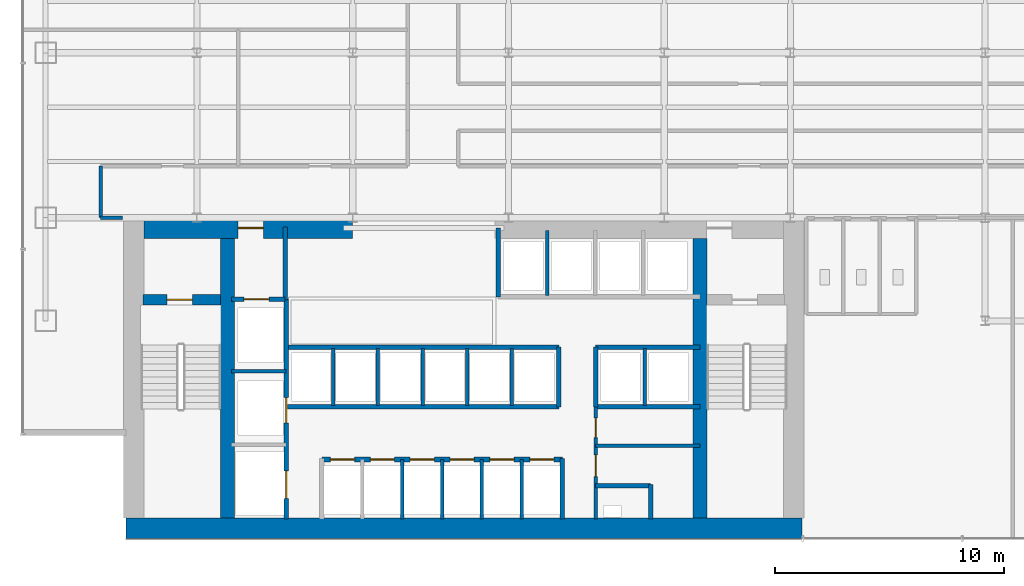
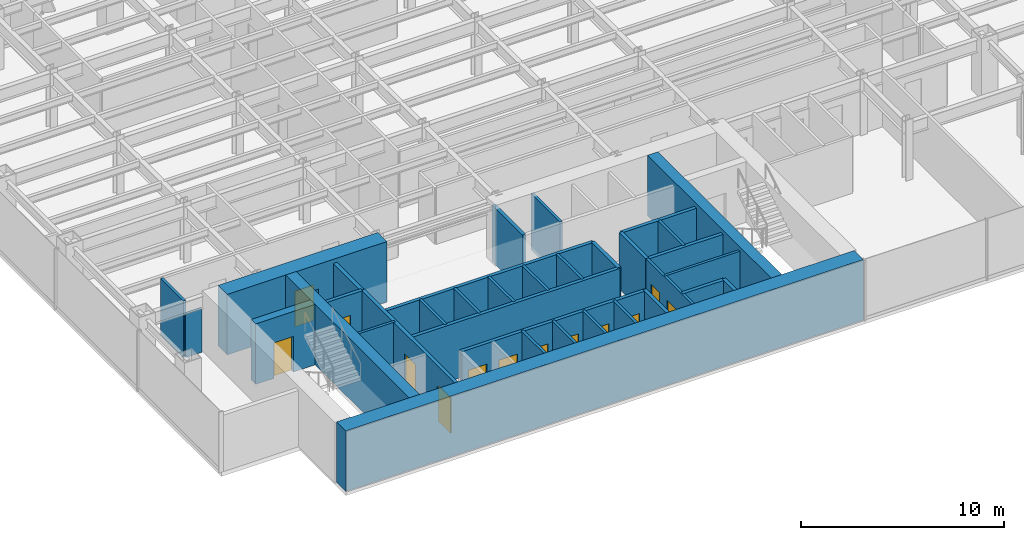
# One storey, part 17 of 22: 35 walls, 13 doors, 13 openings.
"""IFC4 building model written with IfcOpenShell, lengths in metres."""

from ifc_helpers import new_model, si_unit, derived_unit, direction, frame, frame_2d, origin, place, context, subcontext, project, spatial, rectangle, extrude, source, transform, mapped, material, layer, layer_set, type_object, element, fill, save


model = new_model("IFC4")

# Units and contexts
model_context = context("Model", 3, precision=1e-05, world=origin(), true_north=direction((0.0, 1.0)))
body_context = subcontext(model_context, "Body", "Model", "MODEL_VIEW")
ifc_project = project(units=[si_unit("LENGTHUNIT", "METRE"), si_unit("AREAUNIT", "SQUARE_METRE"), si_unit("VOLUMEUNIT", "CUBIC_METRE"), si_unit("PLANEANGLEUNIT", "RADIAN"), si_unit("MASSUNIT", "GRAM", prefix="KILO"), derived_unit("THERMALTRANSMITTANCEUNIT", [(si_unit("POWERUNIT", "WATT"), 1), (si_unit("LENGTHUNIT", "METRE"), -2), (si_unit("THERMODYNAMICTEMPERATUREUNIT", "KELVIN"), -1)])], contexts=[model_context])

# Site, building, storey
site_placement = place(None, origin())
site = spatial("IfcSite", under=ifc_project, at=site_placement, CompositionType="ELEMENT")
building_placement = place(site_placement, origin())
building = spatial("IfcBuilding", under=site, at=building_placement, Name="Skarnbrae Concourse Arena and Tower", CompositionType="ELEMENT")
storey_placement = place(building_placement, frame((0.0, 0.0, 39.800048828125)))
storey = spatial("IfcBuildingStorey", under=building, at=storey_placement, Name="L08", CompositionType="ELEMENT", Elevation=39.800048828125)

# Wall
ifc_material_1 = material(Name="Concrete 70 MPa (C70/85)", Category="concrete")
ifc_layer_1 = layer(ifc_material_1, 0.89990234375)
ifc_layer_set_1 = layer_set([ifc_layer_1], Name="Concrete 70 MPa (C70/85)")
wall_type_1 = type_object("IfcWallType", Name="WALL-CORE-900-C70", PredefinedType="SHEAR", material=ifc_layer_set_1)
shared_shape_1 = source(origin(), body_context, "Body", "SweptSolid", [
    extrude(rectangle(XDim=29.5, YDim=0.89990234375, at=frame_2d((14.75, 0.0))), origin(), (0.0, 0.0, 1.0), 3.64990234375),
])
wall_1_placement = place(storey_placement, frame((4.5, 0.449951171875, 0.0), z_axis=(0.0, 0.0, 1.0), x_axis=(1.0, 0.0, 0.0)))
element("IfcWall", 1, at=wall_1_placement, inside=storey, type_object=wall_type_1, Name="L08 Rear core shear wall CW-S", PredefinedType="SHEAR", context=body_context, shape_type="MappedRepresentation", body=[
    mapped(shared_shape_1, transform((0.0, 0.0, 0.0))),
])

# Wall, opening, door
shared_shape_2 = source(origin(), body_context, "Body", "SweptSolid", [
    extrude(rectangle(XDim=9.099853515625, YDim=0.89990234375, at=frame_2d((4.5498046875, 0.0))), origin(), (0.0, 0.0, 1.0), 3.64990234375),
])
wall_2_placement = place(storey_placement, frame((5.300048828125, 13.550048828125, 0.0), z_axis=(0.0, 0.0, 1.0), x_axis=(1.0, 0.0, 0.0)))
wall_2 = element("IfcWall", 2, at=wall_2_placement, inside=storey, type_object=wall_type_1, Name="L08 Rear core shear wall CW-NW", PredefinedType="SHEAR", context=body_context, shape_type="MappedRepresentation", body=[
    mapped(shared_shape_2, transform((0.0, 0.0, 0.0))),
])
opening_1_placement = place(wall_2_placement, frame((4.10009765625, 0.0, 0.0)))
opening_1 = element("IfcOpeningElement", 3, at=opening_1_placement, cuts=wall_2, Name="Opening DT-03", PredefinedType="OPENING", context=body_context, shape_type="SweptSolid", body=[
    extrude(rectangle(XDim=1.10009765625, YDim=2.14990234375, at=frame_2d((0.550048828125, 1.074951171875))), frame((0.0, 0.4599609375, 0.0), z_axis=(0.0, -1.0, 0.0), x_axis=(1.0, 0.0, 0.0)), (0.0, 0.0, 1.0), 0.919921875),
])
ifc_material_2 = material(Name="Steel CSA G40.21 350W", Category="steel")
door_type_1 = type_object("IfcDoorType", Name="DOOR-FIRE-1100-90M", OperationType="NOTDEFINED", PredefinedType="DOOR", material=ifc_material_2)
shared_shape_3 = source(origin(), body_context, "Body", "SweptSolid", [
    extrude(rectangle(XDim=1.10009765625, YDim=2.14990234375, at=frame_2d((0.550048828125, 1.074951171875))), frame((0.0, 0.02490234375, 0.0), z_axis=(0.0, -1.0, 0.0), x_axis=(1.0, 0.0, 0.0)), (0.0, 0.0, 1.0), 0.050048828125),
])
door_1_placement = place(opening_1_placement, origin())
door_1 = element("IfcDoor", 4, at=door_1_placement, inside=storey, type_object=door_type_1, Name="D-0386 Firefighting Lobby Exit Door", OperationType="SINGLE_SWING_RIGHT", OverallHeight=2.14990234375, OverallWidth=1.10009765625, PredefinedType="DOOR", context=body_context, shape_type="MappedRepresentation", body=[
    mapped(shared_shape_3, transform((0.0, 0.0, 0.0))),
])
fill(opening_1, door_1)

# Walls
ifc_layer_2 = layer(ifc_material_1, 0.60009765625)
ifc_layer_set_2 = layer_set([ifc_layer_2], Name="Concrete 70 MPa (C70/85)")
wall_type_2 = type_object("IfcWallType", Name="WALL-CORE-600-C70", PredefinedType="SHEAR", material=ifc_layer_set_2)
shared_shape_4 = source(origin(), body_context, "Body", "SweptSolid", [
    extrude(rectangle(XDim=12.2001953125, YDim=0.60009765625, at=frame_2d((6.10009765625, 0.0))), origin(), (0.0, 0.0, 1.0), 3.64990234375),
])
for number, where, z_axis, x_axis, name in (
    (5, (8.93994140625, 0.89990234375, 0.0), (0.0, 0.0, 1.0), (0.0, 1.0, 0.0), "L08 Rear core shear wall CW-WEB-W"),
    (6, (29.56005859375, 0.89990234375, 0.0), (0.0, 0.0, 1.0), (0.0, 1.0, 0.0), "L08 Rear core shear wall CW-WEB-E"),
):
    element("IfcWall", number, at=place(storey_placement, frame(where, z_axis=z_axis, x_axis=x_axis)), inside=storey, type_object=wall_type_2, Name=name, PredefinedType="SHEAR", context=body_context, shape_type="MappedRepresentation", body=[
        mapped(shared_shape_4, transform((0.0, 0.0, 0.0))),
    ])

# Wall, opening, door
ifc_material_3 = material(Name="Concrete 50 MPa (C50/60)", Category="concrete")
ifc_layer_3 = layer(ifc_material_3, 0.449951171875)
ifc_layer_set_3 = layer_set([ifc_layer_3], Name="Concrete 50 MPa (C50/60)")
wall_type_3 = type_object("IfcWallType", Name="WALL-CORE-450-C50", PredefinedType="SHEAR", material=ifc_layer_set_3)
shared_shape_5 = source(origin(), body_context, "Body", "SweptSolid", [
    extrude(rectangle(XDim=3.389892578125, YDim=0.449951171875, at=frame_2d((1.69482421875, 0.0))), origin(), (0.0, 0.0, 1.0), 3.64990234375),
])
wall_3_placement = place(storey_placement, frame((5.25, 10.419921875, 0.0), z_axis=(0.0, 0.0, 1.0), x_axis=(1.0, 0.0, 0.0)))
wall_3 = element("IfcWall", 7, at=wall_3_placement, inside=storey, type_object=wall_type_3, Name="L08 Rear core shear wall CW-ST1-N", PredefinedType="SHEAR", context=body_context, shape_type="MappedRepresentation", body=[
    mapped(shared_shape_5, transform((0.0, 0.0, 0.0))),
])
opening_2_placement = place(wall_3_placement, frame((1.050048828125, 0.0, 0.0)))
opening_2 = element("IfcOpeningElement", 8, at=opening_2_placement, cuts=wall_3, Name="Opening DT-03", PredefinedType="OPENING", context=body_context, shape_type="SweptSolid", body=[
    extrude(rectangle(XDim=1.10009765625, YDim=2.14990234375, at=frame_2d((0.550048828125, 1.074951171875))), frame((0.0, 0.23486328125, 0.0), z_axis=(0.0, -1.0, 0.0), x_axis=(1.0, 0.0, 0.0)), (0.0, 0.0, 1.0), 0.469970703125),
])
door_2_placement = place(opening_2_placement, frame((1.10009765625, 0.0, 0.0), z_axis=(0.0, 0.0, 1.0), x_axis=(-1.0, 0.0, 0.0)))
door_2 = element("IfcDoor", 9, at=door_2_placement, inside=storey, type_object=door_type_1, Name="D-0384 Stair ST-1 Door", OperationType="SINGLE_SWING_LEFT", OverallHeight=2.14990234375, OverallWidth=1.10009765625, PredefinedType="DOOR", context=body_context, shape_type="MappedRepresentation", body=[
    mapped(shared_shape_3, transform((0.0, 0.0, 0.0))),
])
fill(opening_2, door_2)

# Wall
ifc_material_4 = material(Name="Gypsum board on cold-formed steel studs", Category="steel")
ifc_layer_4 = layer(ifc_material_4, 0.199951171875)
ifc_layer_set_4 = layer_set([ifc_layer_4], Name="Gypsum board on cold-formed steel studs")
wall_type_4 = type_object("IfcWallType", Name="WALL-PART-200-2HR", PredefinedType="PARTITIONING", material=ifc_layer_set_4)
shared_shape_6 = source(origin(), body_context, "Body", "SweptSolid", [
    extrude(rectangle(XDim=3.18017578125, YDim=0.199951171875, at=frame_2d((1.590087890625, 0.0))), origin(), (0.0, 0.0, 1.0), 3.39990234375),
])
wall_4_placement = place(storey_placement, frame((11.449951171875, 10.419921875, 0.0), z_axis=(0.0, 0.0, 1.0), x_axis=(0.0, 1.0, 0.0)))
element("IfcWall", 10, at=wall_4_placement, inside=storey, type_object=wall_type_4, Name="L08 Interior partition wall W-L08-FFL-E", PredefinedType="PARTITIONING", context=body_context, shape_type="MappedRepresentation", body=[
    mapped(shared_shape_6, transform((0.0, 0.0, 0.0))),
])

# Wall, opening, door
shared_shape_7 = source(origin(), body_context, "Body", "SweptSolid", [
    extrude(rectangle(XDim=2.349853515625, YDim=0.199951171875, at=frame_2d((1.1748046875, 0.0))), origin(), (0.0, 0.0, 1.0), 3.39990234375),
])
wall_5_placement = place(storey_placement, frame((9.10009765625, 10.449951171875, 0.0), z_axis=(0.0, 0.0, 1.0), x_axis=(1.0, 0.0, 0.0)))
wall_5 = element("IfcWall", 11, at=wall_5_placement, inside=storey, type_object=wall_type_4, Name="L08 Interior partition wall W-L08-FL1-N", PredefinedType="PARTITIONING", context=body_context, shape_type="MappedRepresentation", body=[
    mapped(shared_shape_7, transform((0.0, 0.0, 0.0))),
])
opening_3_placement = place(wall_5_placement, frame((0.550048828125, 0.0, 0.0)))
opening_3 = element("IfcOpeningElement", 12, at=opening_3_placement, cuts=wall_5, Name="Opening LD-01", PredefinedType="OPENING", context=body_context, shape_type="SweptSolid", body=[
    extrude(rectangle(XDim=1.10009765625, YDim=2.14990234375, at=frame_2d((0.550048828125, 1.074951171875))), frame((0.0, 0.10986328125, 0.0), z_axis=(0.0, -1.0, 0.0), x_axis=(1.0, 0.0, 0.0)), (0.0, 0.0, 1.0), 0.219970703125),
])
door_type_2 = type_object("IfcDoorType", Name="DOOR-LIFT-SLIDE-1100", OperationType="SLIDING_TO_LEFT", PredefinedType="DOOR", material=ifc_material_2)
door_3_placement = place(opening_3_placement, origin())
door_3 = element("IfcDoor", 13, at=door_3_placement, inside=storey, type_object=door_type_2, Name="D-0388 Firefighting Lift Landing Door FL-01", OperationType="SLIDING_TO_LEFT", OverallHeight=2.14990234375, OverallWidth=1.10009765625, PredefinedType="DOOR", context=body_context, shape_type="MappedRepresentation", body=[
    mapped(shared_shape_3, transform((0.0, 0.0, 0.0))),
])
fill(opening_3, door_3)

# Wall, openings, doors
shared_shape_8 = source(origin(), body_context, "Body", "SweptSolid", [
    extrude(rectangle(XDim=9.599853515625, YDim=0.199951171875, at=frame_2d((4.7998046875, 0.0))), origin(), (0.0, 0.0, 1.0), 3.39990234375),
])
wall_6_placement = place(storey_placement, frame((11.5, 0.85009765625, 0.0), z_axis=(0.0, 0.0, 1.0), x_axis=(0.0, 1.0, 0.0)))
wall_6 = element("IfcWall", 14, at=wall_6_placement, inside=storey, type_object=wall_type_4, Name="L08 Interior partition wall W-L08-FL-E", PredefinedType="PARTITIONING", context=body_context, shape_type="MappedRepresentation", body=[
    mapped(shared_shape_8, transform((0.0, 0.0, 0.0))),
])
opening_4_placement = place(wall_6_placement, frame((4.199951171875, 0.0, 0.0)))
opening_4 = element("IfcOpeningElement", 15, at=opening_4_placement, cuts=wall_6, Name="Opening LD-01", PredefinedType="OPENING", context=body_context, shape_type="SweptSolid", body=[
    extrude(rectangle(XDim=1.10009765625, YDim=2.14990234375, at=frame_2d((0.550048828125, 1.074951171875))), frame((0.0, 0.10986328125, 0.0), z_axis=(0.0, -1.0, 0.0), x_axis=(1.0, 0.0, 0.0)), (0.0, 0.0, 1.0), 0.219970703125),
])
opening_5_placement = place(wall_6_placement, frame((0.89990234375, 0.0, 0.0)))
opening_5 = element("IfcOpeningElement", 16, at=opening_5_placement, cuts=wall_6, Name="Opening LD-02", PredefinedType="OPENING", context=body_context, shape_type="SweptSolid", body=[
    extrude(rectangle(XDim=1.199951171875, YDim=2.14990234375, at=frame_2d((0.60009765625, 1.074951171875))), frame((0.0, 0.10986328125, 0.0), z_axis=(0.0, -1.0, 0.0), x_axis=(1.0, 0.0, 0.0)), (0.0, 0.0, 1.0), 0.219970703125),
])
door_4_placement = place(opening_4_placement, frame((1.10009765625, 0.0, 0.0), z_axis=(0.0, 0.0, 1.0), x_axis=(-1.0, 0.0, 0.0)))
door_4 = element("IfcDoor", 17, at=door_4_placement, inside=storey, type_object=door_type_2, Name="D-0389 Firefighting Lift Landing Door FL-02", OperationType="SLIDING_TO_LEFT", OverallHeight=2.14990234375, OverallWidth=1.10009765625, PredefinedType="DOOR", context=body_context, shape_type="MappedRepresentation", body=[
    mapped(shared_shape_3, transform((0.0, 0.0, 0.0))),
])
fill(opening_4, door_4)
door_type_3 = type_object("IfcDoorType", Name="DOOR-LIFT-SLIDE-1200", OperationType="SLIDING_TO_LEFT", PredefinedType="DOOR", material=ifc_material_2)
shared_shape_9 = source(origin(), body_context, "Body", "SweptSolid", [
    extrude(rectangle(XDim=1.199951171875, YDim=2.14990234375, at=frame_2d((0.60009765625, 1.074951171875))), frame((0.0, 0.02490234375, 0.0), z_axis=(0.0, -1.0, 0.0), x_axis=(1.0, 0.0, 0.0)), (0.0, 0.0, 1.0), 0.050048828125),
])
door_5_placement = place(opening_5_placement, frame((1.199951171875, 0.0, 0.0), z_axis=(0.0, 0.0, 1.0), x_axis=(-1.0, 0.0, 0.0)))
door_5 = element("IfcDoor", 18, at=door_5_placement, inside=storey, type_object=door_type_3, Name="D-0390 Service Lift Landing Door SV-01", OperationType="SLIDING_TO_LEFT", OverallHeight=2.14990234375, OverallWidth=1.199951171875, PredefinedType="DOOR", context=body_context, shape_type="MappedRepresentation", body=[
    mapped(shared_shape_9, transform((0.0, 0.0, 0.0))),
])
fill(opening_5, door_5)

# Walls
ifc_layer_5 = layer(ifc_material_4, 0.14990234375)
ifc_layer_set_5 = layer_set([ifc_layer_5], Name="Gypsum board on cold-formed steel studs")
wall_type_5 = type_object("IfcWallType", Name="WALL-PART-150", PredefinedType="PARTITIONING", material=ifc_layer_set_5)
shared_shape_10 = source(origin(), body_context, "Body", "SweptSolid", [
    extrude(rectangle(XDim=2.39990234375, YDim=0.14990234375, at=frame_2d((1.199951171875, 0.0))), origin(), (0.0, 0.0, 1.0), 3.39990234375),
])
wall_7_placement = place(storey_placement, frame((9.10009765625, 7.300048828125, 0.0), z_axis=(0.0, 0.0, 1.0), x_axis=(1.0, 0.0, 0.0)))
element("IfcWall", 19, at=wall_7_placement, inside=storey, type_object=wall_type_5, Name="L08 Interior partition wall W-L08-FL-D2", PredefinedType="PARTITIONING", context=body_context, shape_type="MappedRepresentation", body=[
    mapped(shared_shape_10, transform((0.0, 0.0, 0.0))),
])
shared_shape_11 = source(origin(), body_context, "Body", "SweptSolid", [
    extrude(rectangle(XDim=2.64990234375, YDim=0.199951171875, at=frame_2d((1.324951171875, 0.0))), origin(), (0.0, 0.0, 1.0), 3.39990234375),
])
wall_8_placement = place(storey_placement, frame((23.550048828125, 0.85009765625, 0.0), z_axis=(0.0, 0.0, 1.0), x_axis=(0.0, 1.0, 0.0)))
element("IfcWall", 20, at=wall_8_placement, inside=storey, type_object=wall_type_4, Name="L08 Interior partition wall W-L08-B1-E", PredefinedType="PARTITIONING", context=body_context, shape_type="MappedRepresentation", body=[
    mapped(shared_shape_11, transform((0.0, 0.0, 0.0))),
])

# Wall, openings, doors
shared_shape_12 = source(origin(), body_context, "Body", "SweptSolid", [
    extrude(rectangle(XDim=10.5, YDim=0.199951171875, at=frame_2d((5.25, 0.0))), origin(), (0.0, 0.0, 1.0), 3.39990234375),
])
wall_9_placement = place(storey_placement, frame((13.050048828125, 3.449951171875, 0.0), z_axis=(0.0, 0.0, 1.0), x_axis=(1.0, 0.0, 0.0)))
wall_9 = element("IfcWall", 21, at=wall_9_placement, inside=storey, type_object=wall_type_4, Name="L08 Interior partition wall W-L08-B1-N", PredefinedType="PARTITIONING", context=body_context, shape_type="MappedRepresentation", body=[
    mapped(shared_shape_12, transform((0.0, 0.0, 0.0))),
])
opening_6_placement = place(wall_9_placement, frame((0.3798828125, 0.0, 0.0)))
opening_6 = element("IfcOpeningElement", 22, at=opening_6_placement, cuts=wall_9, Name="Opening LD-03", PredefinedType="OPENING", context=body_context, shape_type="SweptSolid", body=[
    extrude(rectangle(XDim=1.050048828125, YDim=2.14990234375, at=frame_2d((0.52490234375, 1.074951171875))), frame((0.0, 0.10986328125, 0.0), z_axis=(0.0, -1.0, 0.0), x_axis=(1.0, 0.0, 0.0)), (0.0, 0.0, 1.0), 0.219970703125),
])
opening_7_placement = place(wall_9_placement, frame((2.1201171875, 0.0, 0.0)))
opening_7 = element("IfcOpeningElement", 23, at=opening_7_placement, cuts=wall_9, Name="Opening LD-03", PredefinedType="OPENING", context=body_context, shape_type="SweptSolid", body=[
    extrude(rectangle(XDim=1.050048828125, YDim=2.14990234375, at=frame_2d((0.52490234375, 1.074951171875))), frame((0.0, 0.10986328125, 0.0), z_axis=(0.0, -1.0, 0.0), x_axis=(1.0, 0.0, 0.0)), (0.0, 0.0, 1.0), 0.219970703125),
])
opening_8_placement = place(wall_9_placement, frame((3.860107421875, 0.0, 0.0)))
opening_8 = element("IfcOpeningElement", 24, at=opening_8_placement, cuts=wall_9, Name="Opening LD-03", PredefinedType="OPENING", context=body_context, shape_type="SweptSolid", body=[
    extrude(rectangle(XDim=1.050048828125, YDim=2.14990234375, at=frame_2d((0.52490234375, 1.074951171875))), frame((0.0, 0.10986328125, 0.0), z_axis=(0.0, -1.0, 0.0), x_axis=(1.0, 0.0, 0.0)), (0.0, 0.0, 1.0), 0.219970703125),
])
opening_9_placement = place(wall_9_placement, frame((5.60009765625, 0.0, 0.0)))
opening_9 = element("IfcOpeningElement", 25, at=opening_9_placement, cuts=wall_9, Name="Opening LD-03", PredefinedType="OPENING", context=body_context, shape_type="SweptSolid", body=[
    extrude(rectangle(XDim=1.050048828125, YDim=2.14990234375, at=frame_2d((0.52490234375, 1.074951171875))), frame((0.0, 0.10986328125, 0.0), z_axis=(0.0, -1.0, 0.0), x_axis=(1.0, 0.0, 0.0)), (0.0, 0.0, 1.0), 0.219970703125),
])
opening_10_placement = place(wall_9_placement, frame((7.340087890625, 0.0, 0.0)))
opening_10 = element("IfcOpeningElement", 26, at=opening_10_placement, cuts=wall_9, Name="Opening LD-03", PredefinedType="OPENING", context=body_context, shape_type="SweptSolid", body=[
    extrude(rectangle(XDim=1.050048828125, YDim=2.14990234375, at=frame_2d((0.52490234375, 1.074951171875))), frame((0.0, 0.10986328125, 0.0), z_axis=(0.0, -1.0, 0.0), x_axis=(1.0, 0.0, 0.0)), (0.0, 0.0, 1.0), 0.219970703125),
])
opening_11_placement = place(wall_9_placement, frame((9.080078125, 0.0, 0.0)))
opening_11 = element("IfcOpeningElement", 27, at=opening_11_placement, cuts=wall_9, Name="Opening LD-03", PredefinedType="OPENING", context=body_context, shape_type="SweptSolid", body=[
    extrude(rectangle(XDim=1.050048828125, YDim=2.14990234375, at=frame_2d((0.52490234375, 1.074951171875))), frame((0.0, 0.10986328125, 0.0), z_axis=(0.0, -1.0, 0.0), x_axis=(1.0, 0.0, 0.0)), (0.0, 0.0, 1.0), 0.219970703125),
])
ifc_material_5 = material(Name="Bronze anodised aluminium 6063-T6", Category="aluminium")
door_type_4 = type_object("IfcDoorType", Name="DOOR-LIFT-SLIDE-1050", OperationType="SLIDING_TO_LEFT", PredefinedType="DOOR", material=ifc_material_5)
shared_shape_13 = source(origin(), body_context, "Body", "SweptSolid", [
    extrude(rectangle(XDim=1.050048828125, YDim=2.14990234375, at=frame_2d((0.52490234375, 1.074951171875))), frame((0.0, 0.02490234375, 0.0), z_axis=(0.0, -1.0, 0.0), x_axis=(1.0, 0.0, 0.0)), (0.0, 0.0, 1.0), 0.050048828125),
])
door_6_placement = place(opening_6_placement, origin())
door_6 = element("IfcDoor", 28, at=door_6_placement, inside=storey, type_object=door_type_4, Name="D-0391 Passenger Lift Landing Door PL-1A", OperationType="SLIDING_TO_LEFT", OverallHeight=2.14990234375, OverallWidth=1.050048828125, PredefinedType="DOOR", context=body_context, shape_type="MappedRepresentation", body=[
    mapped(shared_shape_13, transform((0.0, 0.0, 0.0))),
])
fill(opening_6, door_6)
door_7_placement = place(opening_7_placement, origin())
door_7 = element("IfcDoor", 29, at=door_7_placement, inside=storey, type_object=door_type_4, Name="D-0392 Passenger Lift Landing Door PL-1B", OperationType="SLIDING_TO_LEFT", OverallHeight=2.14990234375, OverallWidth=1.050048828125, PredefinedType="DOOR", context=body_context, shape_type="MappedRepresentation", body=[
    mapped(shared_shape_13, transform((0.0, 0.0, 0.0))),
])
fill(opening_7, door_7)
door_8_placement = place(opening_8_placement, origin())
door_8 = element("IfcDoor", 30, at=door_8_placement, inside=storey, type_object=door_type_4, Name="D-0393 Passenger Lift Landing Door PL-1C", OperationType="SLIDING_TO_LEFT", OverallHeight=2.14990234375, OverallWidth=1.050048828125, PredefinedType="DOOR", context=body_context, shape_type="MappedRepresentation", body=[
    mapped(shared_shape_13, transform((0.0, 0.0, 0.0))),
])
fill(opening_8, door_8)
door_9_placement = place(opening_9_placement, origin())
door_9 = element("IfcDoor", 31, at=door_9_placement, inside=storey, type_object=door_type_4, Name="D-0394 Passenger Lift Landing Door PL-1D", OperationType="SLIDING_TO_LEFT", OverallHeight=2.14990234375, OverallWidth=1.050048828125, PredefinedType="DOOR", context=body_context, shape_type="MappedRepresentation", body=[
    mapped(shared_shape_13, transform((0.0, 0.0, 0.0))),
])
fill(opening_9, door_9)
door_10_placement = place(opening_10_placement, origin())
door_10 = element("IfcDoor", 32, at=door_10_placement, inside=storey, type_object=door_type_4, Name="D-0395 Passenger Lift Landing Door PL-1E", OperationType="SLIDING_TO_LEFT", OverallHeight=2.14990234375, OverallWidth=1.050048828125, PredefinedType="DOOR", context=body_context, shape_type="MappedRepresentation", body=[
    mapped(shared_shape_13, transform((0.0, 0.0, 0.0))),
])
fill(opening_10, door_10)
door_11_placement = place(opening_11_placement, origin())
door_11 = element("IfcDoor", 33, at=door_11_placement, inside=storey, type_object=door_type_4, Name="D-0396 Passenger Lift Landing Door PL-1F", OperationType="SLIDING_TO_LEFT", OverallHeight=2.14990234375, OverallWidth=1.050048828125, PredefinedType="DOOR", context=body_context, shape_type="MappedRepresentation", body=[
    mapped(shared_shape_13, transform((0.0, 0.0, 0.0))),
])
fill(opening_11, door_11)

# Walls
shared_shape_14 = source(origin(), body_context, "Body", "SweptSolid", [
    extrude(rectangle(XDim=2.599853515625, YDim=0.14990234375, at=frame_2d((1.2998046875, 0.0))), origin(), (0.0, 0.0, 1.0), 3.39990234375),
])
for number, where, z_axis, x_axis, name in (
    (34, (16.56005859375, 0.85009765625, 0.0), (0.0, 0.0, 1.0), (0.0, 1.0, 0.0), "L08 Interior partition wall W-L08-B1-P2"),
    (35, (18.300048828125, 0.85009765625, 0.0), (0.0, 0.0, 1.0), (0.0, 1.0, 0.0), "L08 Interior partition wall W-L08-B1-P3"),
    (36, (20.0400390625, 0.85009765625, 0.0), (0.0, 0.0, 1.0), (0.0, 1.0, 0.0), "L08 Interior partition wall W-L08-B1-P4"),
    (37, (21.780029296875, 0.85009765625, 0.0), (0.0, 0.0, 1.0), (0.0, 1.0, 0.0), "L08 Interior partition wall W-L08-B1-P5"),
):
    element("IfcWall", number, at=place(storey_placement, frame(where, z_axis=z_axis, x_axis=x_axis)), inside=storey, type_object=wall_type_5, Name=name, PredefinedType="PARTITIONING", context=body_context, shape_type="MappedRepresentation", body=[
        mapped(shared_shape_14, transform((0.0, 0.0, 0.0))),
    ])
shared_shape_15 = source(origin(), body_context, "Body", "SweptSolid", [
    extrude(rectangle(XDim=11.849853515625, YDim=0.199951171875, at=frame_2d((5.9248046875, 0.0))), origin(), (0.0, 0.0, 1.0), 3.39990234375),
])
for number, where, z_axis, x_axis, name in (
    (38, (11.550048828125, 5.75, 0.0), (0.0, 0.0, 1.0), (1.0, 0.0, 0.0), "L08 Interior partition wall W-L08-B2-S"),
    (39, (11.550048828125, 8.35009765625, 0.0), (0.0, 0.0, 1.0), (1.0, 0.0, 0.0), "L08 Interior partition wall W-L08-B2-N"),
):
    element("IfcWall", number, at=place(storey_placement, frame(where, z_axis=z_axis, x_axis=x_axis)), inside=storey, type_object=wall_type_4, Name=name, PredefinedType="PARTITIONING", context=body_context, shape_type="MappedRepresentation", body=[
        mapped(shared_shape_15, transform((0.0, 0.0, 0.0))),
    ])
shared_shape_16 = source(origin(), body_context, "Body", "SweptSolid", [
    extrude(rectangle(XDim=2.60009765625, YDim=0.199951171875, at=frame_2d((1.300048828125, 0.0))), origin(), (0.0, 0.0, 1.0), 3.39990234375),
])
for number, where, z_axis, x_axis, name in (
    (40, (23.39990234375, 5.75, 0.0), (0.0, 0.0, 1.0), (0.0, 1.0, 0.0), "L08 Interior partition wall W-L08-B2-E"),
    (41, (25.0, 5.75, 0.0), (0.0, 0.0, 1.0), (0.0, 1.0, 0.0), "L08 Interior partition wall W-L08-B3S-W"),
):
    element("IfcWall", number, at=place(storey_placement, frame(where, z_axis=z_axis, x_axis=x_axis)), inside=storey, type_object=wall_type_4, Name=name, PredefinedType="PARTITIONING", context=body_context, shape_type="MappedRepresentation", body=[
        mapped(shared_shape_16, transform((0.0, 0.0, 0.0))),
    ])
shared_shape_17 = source(origin(), body_context, "Body", "SweptSolid", [
    extrude(rectangle(XDim=2.5, YDim=0.14990234375, at=frame_2d((1.25, 0.0))), origin(), (0.0, 0.0, 1.0), 3.39990234375),
])
for number, where, z_axis, x_axis, name in (
    (42, (13.550048828125, 5.800048828125, 0.0), (0.0, 0.0, 1.0), (0.0, 1.0, 0.0), "L08 Interior partition wall W-L08-B2-P1"),
    (43, (15.5, 5.800048828125, 0.0), (0.0, 0.0, 1.0), (0.0, 1.0, 0.0), "L08 Interior partition wall W-L08-B2-P2"),
    (44, (17.449951171875, 5.800048828125, 0.0), (0.0, 0.0, 1.0), (0.0, 1.0, 0.0), "L08 Interior partition wall W-L08-B2-P3"),
    (45, (19.39990234375, 5.800048828125, 0.0), (0.0, 0.0, 1.0), (0.0, 1.0, 0.0), "L08 Interior partition wall W-L08-B2-P4"),
    (46, (21.35009765625, 5.800048828125, 0.0), (0.0, 0.0, 1.0), (0.0, 1.0, 0.0), "L08 Interior partition wall W-L08-B2-P5"),
    (47, (27.139892578125, 5.800048828125, 0.0), (0.0, 0.0, 1.0), (0.0, 1.0, 0.0), "L08 Interior partition wall W-L08-B3S-P1"),
):
    element("IfcWall", number, at=place(storey_placement, frame(where, z_axis=z_axis, x_axis=x_axis)), inside=storey, type_object=wall_type_5, Name=name, PredefinedType="PARTITIONING", context=body_context, shape_type="MappedRepresentation", body=[
        mapped(shared_shape_17, transform((0.0, 0.0, 0.0))),
    ])
shared_shape_18 = source(origin(), body_context, "Body", "SweptSolid", [
    extrude(rectangle(XDim=3.0, YDim=0.199951171875, at=frame_2d((1.5, 0.0))), origin(), (0.0, 0.0, 1.0), 3.39990234375),
])
wall_10_placement = place(storey_placement, frame((20.75, 10.550048828125, 0.0), z_axis=(0.0, 0.0, 1.0), x_axis=(0.0, 1.0, 0.0)))
element("IfcWall", 48, at=wall_10_placement, inside=storey, type_object=wall_type_4, Name="L08 Interior partition wall W-L08-B3N-W", PredefinedType="PARTITIONING", context=body_context, shape_type="MappedRepresentation", body=[
    mapped(shared_shape_18, transform((0.0, 0.0, 0.0))),
])
shared_shape_19 = source(origin(), body_context, "Body", "SweptSolid", [
    extrude(rectangle(XDim=2.849853515625, YDim=0.14990234375, at=frame_2d((1.4248046875, 0.0))), origin(), (0.0, 0.0, 1.0), 3.39990234375),
])
wall_11_placement = place(storey_placement, frame((22.889892578125, 10.60009765625, 0.0), z_axis=(0.0, 0.0, 1.0), x_axis=(0.0, 1.0, 0.0)))
element("IfcWall", 49, at=wall_11_placement, inside=storey, type_object=wall_type_5, Name="L08 Interior partition wall W-L08-B3N-P1", PredefinedType="PARTITIONING", context=body_context, shape_type="MappedRepresentation", body=[
    mapped(shared_shape_19, transform((0.0, 0.0, 0.0))),
])
shared_shape_20 = source(origin(), body_context, "Body", "SweptSolid", [
    extrude(rectangle(XDim=4.550048828125, YDim=0.199951171875, at=frame_2d((2.27490234375, 0.0))), origin(), (0.0, 0.0, 1.0), 3.39990234375),
])
for number, where, z_axis, x_axis, name in (
    (50, (25.0, 8.35009765625, 0.0), (0.0, 0.0, 1.0), (1.0, 0.0, 0.0), "L08 Interior partition wall W-L08-B3S-N"),
    (51, (25.0, 5.75, 0.0), (0.0, 0.0, 1.0), (1.0, 0.0, 0.0), "L08 Interior partition wall W-L08-B3S-S"),
):
    element("IfcWall", number, at=place(storey_placement, frame(where, z_axis=z_axis, x_axis=x_axis)), inside=storey, type_object=wall_type_4, Name=name, PredefinedType="PARTITIONING", context=body_context, shape_type="MappedRepresentation", body=[
        mapped(shared_shape_20, transform((0.0, 0.0, 0.0))),
    ])

# Wall, openings, doors
ifc_layer_6 = layer(ifc_material_4, 0.14990234375)
ifc_layer_set_6 = layer_set([ifc_layer_6], Name="Gypsum board on cold-formed steel studs")
wall_type_6 = type_object("IfcWallType", Name="WALL-PART-150-1HR", PredefinedType="PARTITIONING", material=ifc_layer_set_6)
shared_shape_21 = source(origin(), body_context, "Body", "SweptSolid", [
    extrude(rectangle(XDim=4.89990234375, YDim=0.14990234375, at=frame_2d((2.449951171875, 0.0))), origin(), (0.0, 0.0, 1.0), 3.39990234375),
])
wall_12_placement = place(storey_placement, frame((25.0, 0.85009765625, 0.0), z_axis=(0.0, 0.0, 1.0), x_axis=(0.0, 1.0, 0.0)))
wall_12 = element("IfcWall", 52, at=wall_12_placement, inside=storey, type_object=wall_type_6, Name="L08 Interior partition wall W-L08-CSV-W", PredefinedType="PARTITIONING", context=body_context, shape_type="MappedRepresentation", body=[
    mapped(shared_shape_21, transform((0.0, 0.0, 0.0))),
])
opening_12_placement = place(wall_12_placement, frame((1.85009765625, 0.0, 0.0)))
opening_12 = element("IfcOpeningElement", 53, at=opening_12_placement, cuts=wall_12, Name="Opening DT-04", PredefinedType="OPENING", context=body_context, shape_type="SweptSolid", body=[
    extrude(rectangle(XDim=0.949951171875, YDim=2.14990234375, at=frame_2d((0.47509765625, 1.074951171875))), frame((0.0, 0.0849609375, 0.0), z_axis=(0.0, -1.0, 0.0), x_axis=(1.0, 0.0, 0.0)), (0.0, 0.0, 1.0), 0.169921875),
])
opening_13_placement = place(wall_12_placement, frame((3.550048828125, 0.0, 0.0)))
opening_13 = element("IfcOpeningElement", 54, at=opening_13_placement, cuts=wall_12, Name="Opening DT-08", PredefinedType="OPENING", context=body_context, shape_type="SweptSolid", body=[
    extrude(rectangle(XDim=0.85009765625, YDim=2.14990234375, at=frame_2d((0.425048828125, 1.074951171875))), frame((0.0, 0.0849609375, 0.0), z_axis=(0.0, -1.0, 0.0), x_axis=(1.0, 0.0, 0.0)), (0.0, 0.0, 1.0), 0.169921875),
])
door_type_5 = type_object("IfcDoorType", Name="DOOR-INT-950-45M", OperationType="NOTDEFINED", PredefinedType="DOOR", material=ifc_material_2)
shared_shape_22 = source(origin(), body_context, "Body", "SweptSolid", [
    extrude(rectangle(XDim=0.949951171875, YDim=2.14990234375, at=frame_2d((0.47509765625, 1.074951171875))), frame((0.0, 0.02490234375, 0.0), z_axis=(0.0, -1.0, 0.0), x_axis=(1.0, 0.0, 0.0)), (0.0, 0.0, 1.0), 0.050048828125),
])
door_12_placement = place(opening_12_placement, origin())
door_12 = element("IfcDoor", 55, at=door_12_placement, inside=storey, type_object=door_type_5, Name="D-0397 Core Staff WC Door", OperationType="SINGLE_SWING_RIGHT", OverallHeight=2.14990234375, OverallWidth=0.949951171875, PredefinedType="DOOR", context=body_context, shape_type="MappedRepresentation", body=[
    mapped(shared_shape_22, transform((0.0, 0.0, 0.0))),
])
fill(opening_12, door_12)
door_type_6 = type_object("IfcDoorType", Name="DOOR-INT-850-45M", OperationType="NOTDEFINED", PredefinedType="DOOR", material=ifc_material_2)
shared_shape_23 = source(origin(), body_context, "Body", "SweptSolid", [
    extrude(rectangle(XDim=0.85009765625, YDim=2.14990234375, at=frame_2d((0.425048828125, 1.074951171875))), frame((0.0, 0.02490234375, 0.0), z_axis=(0.0, -1.0, 0.0), x_axis=(1.0, 0.0, 0.0)), (0.0, 0.0, 1.0), 0.050048828125),
])
door_13_placement = place(opening_13_placement, origin())
door_13 = element("IfcDoor", 56, at=door_13_placement, inside=storey, type_object=door_type_6, Name="D-0398 IT Patch Room Door", OperationType="SINGLE_SWING_LEFT", OverallHeight=2.14990234375, OverallWidth=0.85009765625, PredefinedType="DOOR", context=body_context, shape_type="MappedRepresentation", body=[
    mapped(shared_shape_23, transform((0.0, 0.0, 0.0))),
])
fill(opening_13, door_13)

# Walls
shared_shape_24 = source(origin(), body_context, "Body", "SweptSolid", [
    extrude(rectangle(XDim=2.39990234375, YDim=0.199951171875, at=frame_2d((1.199951171875, 0.0))), origin(), (0.0, 0.0, 1.0), 3.39990234375),
])
wall_13_placement = place(storey_placement, frame((25.0, 2.300048828125, 0.0), z_axis=(0.0, 0.0, 1.0), x_axis=(1.0, 0.0, 0.0)))
element("IfcWall", 57, at=wall_13_placement, inside=storey, type_object=wall_type_4, Name="L08 Interior partition wall W-L08-MEP-N", PredefinedType="PARTITIONING", context=body_context, shape_type="MappedRepresentation", body=[
    mapped(shared_shape_24, transform((0.0, 0.0, 0.0))),
])
shared_shape_25 = source(origin(), body_context, "Body", "SweptSolid", [
    extrude(rectangle(XDim=1.5, YDim=0.199951171875, at=frame_2d((0.75, 0.0))), origin(), (0.0, 0.0, 1.0), 3.39990234375),
])
wall_14_placement = place(storey_placement, frame((27.39990234375, 0.85009765625, 0.0), z_axis=(0.0, 0.0, 1.0), x_axis=(0.0, 1.0, 0.0)))
element("IfcWall", 58, at=wall_14_placement, inside=storey, type_object=wall_type_4, Name="L08 Interior partition wall W-L08-MEP-E", PredefinedType="PARTITIONING", context=body_context, shape_type="MappedRepresentation", body=[
    mapped(shared_shape_25, transform((0.0, 0.0, 0.0))),
])
shared_shape_26 = source(origin(), body_context, "Body", "SweptSolid", [
    extrude(rectangle(XDim=4.550048828125, YDim=0.14990234375, at=frame_2d((2.27490234375, 0.0))), origin(), (0.0, 0.0, 1.0), 3.39990234375),
])
wall_15_placement = place(storey_placement, frame((25.0, 4.050048828125, 0.0), z_axis=(0.0, 0.0, 1.0), x_axis=(1.0, 0.0, 0.0)))
element("IfcWall", 59, at=wall_15_placement, inside=storey, type_object=wall_type_5, Name="L08 Interior partition wall W-L08-CSV-H2", PredefinedType="PARTITIONING", context=body_context, shape_type="MappedRepresentation", body=[
    mapped(shared_shape_26, transform((0.0, 0.0, 0.0))),
])
shared_shape_27 = source(origin(), body_context, "Body", "SweptSolid", [
    extrude(rectangle(XDim=0.9501953125, YDim=0.14990234375, at=frame_2d((0.47509765625, 0.0))), origin(), (0.0, 0.0, 1.0), 2.625),
])
wall_16_placement = place(storey_placement, frame((4.35009765625, 14.0, 0.0), z_axis=(0.0, 0.0, 1.0), x_axis=(-1.0, 0.0, 0.0)))
element("IfcWall", 60, at=wall_16_placement, inside=storey, type_object=wall_type_6, Name="L08 Interior partition wall W-L08-COR-01", PredefinedType="PARTITIONING", context=body_context, shape_type="MappedRepresentation", body=[
    mapped(shared_shape_27, transform((0.0, 0.0, 0.0))),
])
shared_shape_28 = source(origin(), body_context, "Body", "SweptSolid", [
    extrude(rectangle(XDim=2.25, YDim=0.14990234375, at=frame_2d((1.125, 0.0))), origin(), (0.0, 0.0, 1.0), 3.39990234375),
])
wall_17_placement = place(storey_placement, frame((3.39990234375, 14.0, 0.0), z_axis=(0.0, 0.0, 1.0), x_axis=(0.0, 1.0, 0.0)))
element("IfcWall", 61, at=wall_17_placement, inside=storey, type_object=wall_type_6, Name="L08 Interior partition wall W-L08-COR-02", PredefinedType="PARTITIONING", context=body_context, shape_type="MappedRepresentation", body=[
    mapped(shared_shape_28, transform((0.0, 0.0, 0.0))),
])

save(model, "model.ifc")
